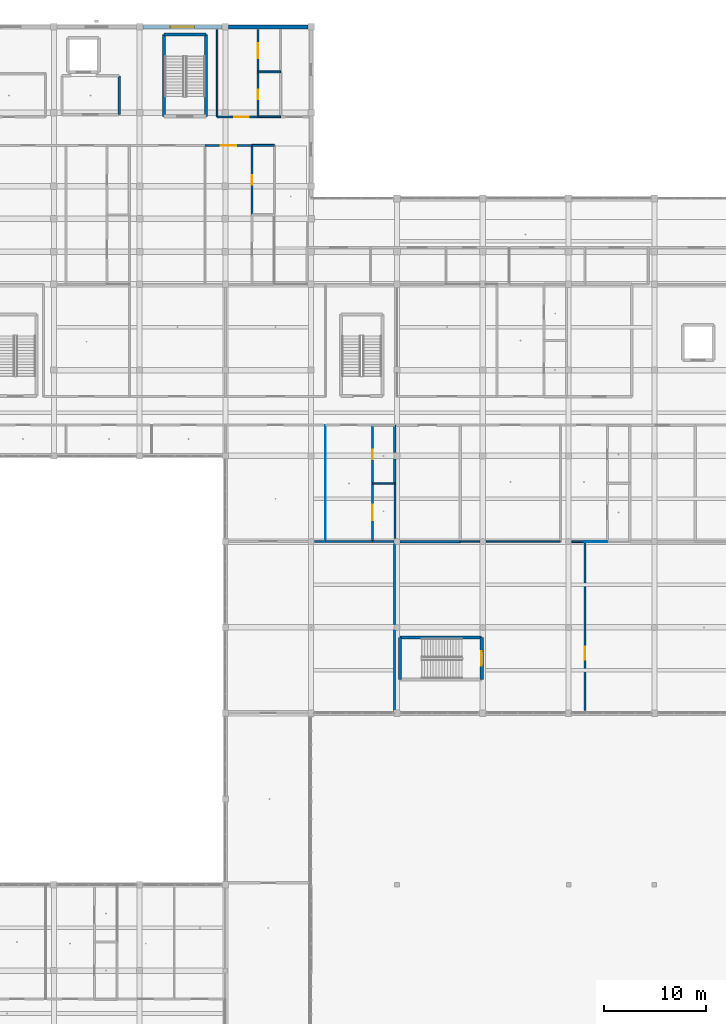
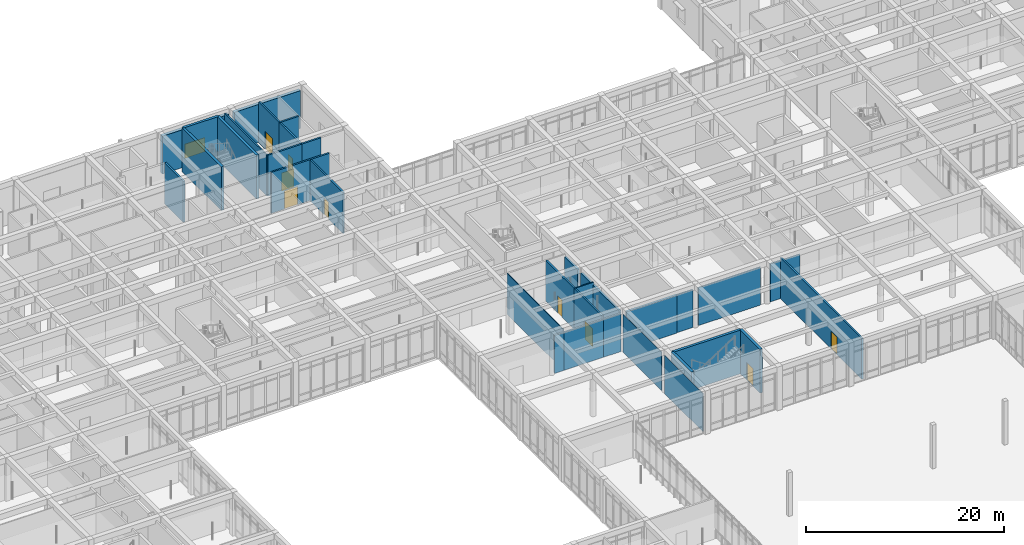
# One storey, part 84 of 157: 36 walls, 9 doors, 1 window, 10 openings.
"""IFC4 building model written with IfcOpenShell, lengths in metres."""

import ifcopenshell
import ifcopenshell.guid

model = None  # the IFC model being written
_history = None  # IfcOwnerHistory: only IFC2X3 demands one
_inside = {}  # id of a spatial element -> (the spatial element, [elements in it])
_under = {}  # id of a project, library or spatial element -> (it, [spatial elements below it])
_declared = {}  # id of a project -> (the project, [libraries it declares])
_typed = {}  # id of a type object -> (the type object, [elements of that type])
_made_of = {}  # id of a material, layer set ... -> (it, [elements and type objects made of it])


def new_model(schema):
    """Start an empty IFC model of exactly this schema.

    Asked for "IFC4X3", IfcOpenShell would pick the latest addendum, in which some entities
    have other attributes; the version numbers below select the first issue.
    IFC2X3 requires an IfcOwnerHistory on every rooted entity: one is made here for all.
    """
    global model, _history
    if schema == "IFC4X3":
        model = ifcopenshell.file(schema_version=(4, 3, 0, 0))
    else:
        model = ifcopenshell.file(schema=schema)
    _inside.clear()
    _under.clear()
    _declared.clear()
    _typed.clear()
    _made_of.clear()
    _history = None
    if model.schema == "IFC2X3":
        org = make("IfcOrganization", Name="unknown")
        user = make(
            "IfcPersonAndOrganization",
            ThePerson=make("IfcPerson", FamilyName="unknown"),
            TheOrganization=org,
        )
        app = make(
            "IfcApplication",
            ApplicationDeveloper=org,
            Version="unknown",
            ApplicationFullName="unknown",
            ApplicationIdentifier="unknown",
        )
        _history = make(
            "IfcOwnerHistory",
            OwningUser=user,
            OwningApplication=app,
            ChangeAction="ADDED",
            CreationDate=0,
        )
    return model


def make(cls, **values):
    """One entity of the class cls with the attributes given. An attribute that is None is left unset."""
    return model.create_entity(
        cls, **{name: value for name, value in values.items() if value is not None}
    )


def rooted(cls, **values):
    """An entity with a GlobalId (a new one), such as an element, a storey or a relation."""
    return make(cls, GlobalId=ifcopenshell.guid.new(), OwnerHistory=_history, **values)


def si_unit(unit_type, name, prefix=None):
    """IfcSIUnit, for example si_unit("LENGTHUNIT", "METRE", prefix="MILLI")."""
    return make("IfcSIUnit", UnitType=unit_type, Prefix=prefix, Name=name)


def assignment(units):
    """IfcUnitAssignment: the units of a project."""
    return None if units is None else make("IfcUnitAssignment", Units=units)


def point(xyz):
    """IfcCartesianPoint."""
    return None if xyz is None else make("IfcCartesianPoint", Coordinates=xyz)


def direction(xyz):
    """IfcDirection."""
    return None if xyz is None else make("IfcDirection", DirectionRatios=xyz)


def frame(location, z_axis=None, x_axis=None):
    """IfcAxis2Placement3D, a coordinate frame: its origin and axes. An axis left out is left unset."""
    return make(
        "IfcAxis2Placement3D",
        Location=point(location),
        Axis=direction(z_axis),
        RefDirection=direction(x_axis),
    )


def frame_2d(location, x_axis=None):
    """IfcAxis2Placement2D, a coordinate frame in the plane: its origin and x axis."""
    return make(
        "IfcAxis2Placement2D", Location=point(location), RefDirection=direction(x_axis)
    )


def origin():
    """The frame at (0, 0, 0) with its axes left unset."""
    return frame((0.0, 0.0, 0.0))


def place(relative_to, where):
    """IfcLocalPlacement: puts the frame where relative to a parent placement (None: the world)."""
    return make(
        "IfcLocalPlacement", PlacementRelTo=relative_to, RelativePlacement=where
    )


def context(
    kind, dimensions, precision=None, world=None, true_north=None, identifier=None
):
    """IfcGeometricRepresentationContext, for example the 3D "Model" context."""
    return make(
        "IfcGeometricRepresentationContext",
        ContextIdentifier=identifier,
        ContextType=kind,
        CoordinateSpaceDimension=dimensions,
        Precision=precision,
        WorldCoordinateSystem=world,
        TrueNorth=true_north,
    )


def subcontext(parent, identifier, kind, view, scale=None):
    """IfcGeometricRepresentationSubContext, for example "Body" below "Model"."""
    return make(
        "IfcGeometricRepresentationSubContext",
        ContextIdentifier=identifier,
        ContextType=kind,
        ParentContext=parent,
        TargetScale=scale,
        TargetView=view,
    )


def project(units=None, contexts=None):
    """IfcProject with its units and contexts."""
    return rooted(
        "IfcProject",
        Name="project",
        RepresentationContexts=contexts,
        UnitsInContext=assignment(units),
    )


def spatial(cls, under=None, at=None, **own):
    """A site, building, storey or space (cls), placed at a placement, below another one or the project."""
    s = rooted(cls, ObjectPlacement=at, **own)
    if under is not None:
        _under.setdefault(under.id(), (under, []))[1].append(s)
    return s


def profile(cls, at=None, kind="AREA", **sizes):
    """A parametric profile (cls). Its sizes go by their IFC names, for example OverallWidth=200.0."""
    return make(cls, ProfileType=kind, Position=at, **sizes)


def rectangle(**sizes):
    """IfcRectangleProfileDef."""
    return profile("IfcRectangleProfileDef", **sizes)


def extrude(swept, where, along, depth):
    """IfcExtrudedAreaSolid: the profile swept, set in the frame where, extruded along a direction by depth."""
    return make(
        "IfcExtrudedAreaSolid",
        SweptArea=swept,
        Position=where,
        ExtrudedDirection=direction(along),
        Depth=depth,
    )


def shape(context_of_items, identifier, shape_type, items):
    """IfcShapeRepresentation: the items that make up one representation, for example the "Body"."""
    return make(
        "IfcShapeRepresentation",
        ContextOfItems=context_of_items,
        RepresentationIdentifier=identifier,
        RepresentationType=shape_type,
        Items=items,
    )


def material(Name=None, Category=None):
    """IfcMaterial."""
    return make("IfcMaterial", Name=Name, Category=Category)


def layer(
    of_material, thickness, ventilated=None, Name=None, Category=None, Priority=None
):
    """IfcMaterialLayer: one layer of a wall or slab, of a material (None: an air gap)."""
    return make(
        "IfcMaterialLayer",
        Material=of_material,
        LayerThickness=thickness,
        IsVentilated=ventilated,
        Name=Name,
        Category=Category,
        Priority=Priority,
    )


def layer_set(layers, Name=None):
    """IfcMaterialLayerSet."""
    return make("IfcMaterialLayerSet", MaterialLayers=layers, LayerSetName=Name)


def made_of(thing, what):
    """Note that an element or type object is made of a material, layer set ...; save() writes the relation."""
    if what is not None:
        _made_of.setdefault(what.id(), (what, []))[1].append(thing)
    return thing


def type_object(cls, material=None, **own):
    """A type object (cls), such as IfcWallType, which elements share."""
    return made_of(rooted(cls, **own), material)


def element(
    cls,
    number,
    at=None,
    inside=None,
    cuts=None,
    type_object=None,
    material=None,
    context=None,
    identifier="Body",
    shape_type=None,
    held_by="IfcProductDefinitionShape",
    body=None,
    shapes=None,
    **own,
):
    """One element of the class cls, such as IfcWall. Its Tag is "e" and its number.

    at: its placement. inside: the storey or other place that contains it. cuts: it is an
    opening in that element (IfcRelVoidsElement). A single representation is given by context,
    identifier, shape_type and body (its items); several are given by shapes. held_by: the class
    of the entity that holds the representations. save() writes the other relations.
    """
    e = rooted(cls, Tag="e%d" % number, ObjectPlacement=at, **own)
    if body is not None:
        shapes = [shape(context, identifier, shape_type, body)]
    if shapes is not None:
        e.Representation = make(held_by, Representations=shapes)
    if inside is not None:
        _inside.setdefault(inside.id(), (inside, []))[1].append(e)
    if cuts is not None:
        rooted(
            "IfcRelVoidsElement", RelatingBuildingElement=cuts, RelatedOpeningElement=e
        )
    if type_object is not None:
        _typed.setdefault(type_object.id(), (type_object, []))[1].append(e)
    return made_of(e, material)


def fill(opening, filler):
    """IfcRelFillsElement: the door or window that sits in an opening."""
    return rooted(
        "IfcRelFillsElement",
        RelatingOpeningElement=opening,
        RelatedBuildingElement=filler,
    )


def aggregate(whole, parts):
    """IfcRelAggregates: a whole, such as a stair, and the parts it consists of."""
    return rooted("IfcRelAggregates", RelatingObject=whole, RelatedObjects=parts)


def save(model, path):
    """Write the relations noted so far, then the file.

    IfcRelAggregates (storeys below a building ...), IfcRelContainedInSpatialStructure (elements
    in a storey), IfcRelDefinesByType, IfcRelAssociatesMaterial and IfcRelDeclares: one each for
    every whole, place, type object, material and project.
    """
    for whole, parts in _under.values():
        aggregate(whole, parts)
    for where, things in _inside.values():
        rooted(
            "IfcRelContainedInSpatialStructure",
            RelatedElements=things,
            RelatingStructure=where,
        )
    for kind, things in _typed.values():
        rooted("IfcRelDefinesByType", RelatedObjects=things, RelatingType=kind)
    for what, things in _made_of.values():
        rooted("IfcRelAssociatesMaterial", RelatedObjects=things, RelatingMaterial=what)
    for by, libraries in _declared.values():
        rooted("IfcRelDeclares", RelatingContext=by, RelatedDefinitions=libraries)
    model.write(path)


model = new_model("IFC4")

# Units and contexts
model_context = context("Model", 3, precision=1e-05, world=origin(), true_north=direction((0.0, 1.0)))
body_context = subcontext(model_context, "Body", "Model", "MODEL_VIEW")
ifc_project = project(units=[si_unit("LENGTHUNIT", "METRE"), si_unit("AREAUNIT", "SQUARE_METRE"), si_unit("VOLUMEUNIT", "CUBIC_METRE"), si_unit("PLANEANGLEUNIT", "RADIAN"), si_unit("MASSUNIT", "GRAM", prefix="KILO")], contexts=[model_context])

# Site, building, storey
site_placement = place(None, origin())
site = spatial("IfcSite", under=ifc_project, at=site_placement, CompositionType="ELEMENT")
building_placement = place(site_placement, origin())
building = spatial("IfcBuilding", under=site, at=building_placement, Name="Varncliffe General Hospital", CompositionType="ELEMENT")
storey_placement = place(building_placement, frame((0.0, 0.0, 5.39990234375)))
storey = spatial("IfcBuildingStorey", under=building, at=storey_placement, Name="L01", CompositionType="ELEMENT", Elevation=5.39990234375)

# Wall
ifc_material_1 = material(Name="Precast concrete C40/50 with insulated cream lime-cement stucco", Category="concrete")
ifc_layer_1 = layer(ifc_material_1, 0.3798828125)
ifc_layer_set_1 = layer_set([ifc_layer_1], Name="Precast concrete C40/50 with insulated cream lime-cement stucco")
wall_type_1 = type_object("IfcWallType", Name="Exterior Insulated Stucco Wall EW26 (380mm)", PredefinedType="SOLIDWALL", material=ifc_layer_set_1)
wall_1_placement = place(storey_placement, frame((59.123046875, 124.800048828125, 0.0), z_axis=(0.0, 0.0, 1.0), x_axis=(1.0, 0.0, 0.0)))
element("IfcWall", 1, at=wall_1_placement, inside=storey, type_object=wall_type_1, Name="L01 Exterior Stucco Wall EW26-121", PredefinedType="SOLIDWALL", context=body_context, shape_type="SweptSolid", body=[
    extrude(rectangle(XDim=7.75390625, YDim=0.3798828125, at=frame_2d((3.876953125, 0.0))), origin(), (0.0, 0.0, 1.0), 4.68017578125),
])

# Wall, opening, window
ifc_layer_2 = layer(ifc_material_1, 0.39990234375)
ifc_layer_set_2 = layer_set([ifc_layer_2], Name="Precast concrete C40/50 with insulated cream lime-cement stucco")
wall_type_2 = type_object("IfcWallType", Name="Exterior Insulated Stucco Wall EW47 (400mm)", PredefinedType="SOLIDWALL", material=ifc_layer_set_2)
wall_2_placement = place(storey_placement, frame((50.722900390625, 124.800048828125, 0.0), z_axis=(0.0, 0.0, 1.0), x_axis=(1.0, 0.0, 0.0)))
wall_2 = element("IfcWall", 2, at=wall_2_placement, inside=storey, type_object=wall_type_2, Name="L01 Exterior Stucco Wall EW47-120", PredefinedType="SOLIDWALL", context=body_context, shape_type="SweptSolid", body=[
    extrude(rectangle(XDim=7.754150390625, YDim=0.39990234375, at=frame_2d((3.876953125, 0.0))), origin(), (0.0, 0.0, 1.0), 4.68017578125),
])
opening_1_placement = place(wall_2_placement, frame((2.701904296875, 0.0, 0.89990234375)))
opening_1 = element("IfcOpeningElement", 3, at=opening_1_placement, cuts=wall_2, Name="Opening WN31", PredefinedType="OPENING", context=body_context, shape_type="SweptSolid", body=[
    extrude(rectangle(XDim=2.35009765625, YDim=1.75, at=frame_2d((1.175048828125, 0.875))), frame((0.0, 0.2099609375, 0.0), z_axis=(0.0, -1.0, 0.0), x_axis=(1.0, 0.0, 0.0)), (0.0, 0.0, 1.0), 0.419921875),
])
ifc_material_2 = material(Name="Triple low-E argon insulated vision glazing", Category="glass")
window_type = type_object("IfcWindowType", Name="Triple-Glazed Hospital Window WN31 (2350x1750)", PartitioningType="DOUBLE_PANEL_VERTICAL", PredefinedType="WINDOW", material=ifc_material_2)
window_placement = place(opening_1_placement, origin())
window = element("IfcWindow", 4, at=window_placement, inside=storey, type_object=window_type, Name="L01 Hospital Window WN31-67", OverallHeight=1.75, OverallWidth=2.35009765625, PartitioningType="DOUBLE_PANEL_VERTICAL", PredefinedType="WINDOW", context=body_context, shape_type="SweptSolid", body=[
    extrude(rectangle(XDim=2.35009765625, YDim=1.75, at=frame_2d((1.175048828125, 0.875))), frame((0.0, 0.030029296875, 0.0), z_axis=(0.0, -1.0, 0.0), x_axis=(1.0, 0.0, 0.0)), (0.0, 0.0, 1.0), 0.06005859375),
])
fill(opening_1, window)

# Walls
ifc_material_3 = material(Name="Acoustic clinical gypsum stud partition assembly", Category="gypsum")
ifc_layer_3 = layer(ifc_material_3, 0.1298828125)
ifc_layer_set_3 = layer_set([ifc_layer_3], Name="Acoustic clinical gypsum stud partition assembly")
wall_type_3 = type_object("IfcWallType", Name="Interior Partitioning IW11 (130mm)", PredefinedType="PARTITIONING", material=ifc_layer_set_3)
wall_3_placement = place(storey_placement, frame((84.31494140625, 74.39990234375, 0.0), z_axis=(0.0, 0.0, 1.0), x_axis=(1.0, 0.0, 0.0)))
element("IfcWall", 5, at=wall_3_placement, inside=storey, type_object=wall_type_3, Name="L01 Interior Partition Wall IW11-488", PredefinedType="PARTITIONING", context=body_context, shape_type="SweptSolid", body=[
    extrude(rectangle(XDim=7.28515625, YDim=0.1298828125, at=frame_2d((3.642578125, 0.0))), origin(), (0.0, 0.0, 1.0), 4.68505859375),
])
wall_4_placement = place(storey_placement, frame((81.800048828125, 74.39990234375, 0.0), z_axis=(0.0, 0.0, 1.0), x_axis=(1.0, 0.0, 0.0)))
element("IfcWall", 6, at=wall_4_placement, inside=storey, type_object=wall_type_3, Name="L01 Interior Partition Wall IW11-489", PredefinedType="PARTITIONING", context=body_context, shape_type="SweptSolid", body=[
    extrude(rectangle(XDim=1.885009765625, YDim=0.1298828125, at=frame_2d((0.9423828125, 0.0))), origin(), (0.0, 0.0, 1.0), 4.68505859375),
])
ifc_layer_4 = layer(ifc_material_3, 0.169921875)
ifc_layer_set_4 = layer_set([ifc_layer_4], Name="Acoustic clinical gypsum stud partition assembly")
wall_type_4 = type_object("IfcWallType", Name="Interior Partitioning IW20 (170mm)", PredefinedType="PARTITIONING", material=ifc_layer_set_4)
wall_5_placement = place(storey_placement, frame((92.715087890625, 74.39990234375, 0.0), z_axis=(0.0, 0.0, 1.0), x_axis=(1.0, 0.0, 0.0)))
element("IfcWall", 7, at=wall_5_placement, inside=storey, type_object=wall_type_4, Name="L01 Interior Partition Wall IW20-490", PredefinedType="PARTITIONING", context=body_context, shape_type="SweptSolid", body=[
    extrude(rectangle(XDim=1.284912109375, YDim=0.169921875, at=frame_2d((0.642578125, 0.0))), origin(), (0.0, 0.0, 1.0), 4.68505859375),
])
ifc_layer_5 = layer(ifc_material_3, 0.14990234375)
ifc_layer_set_5 = layer_set([ifc_layer_5], Name="Acoustic clinical gypsum stud partition assembly")
wall_type_5 = type_object("IfcWallType", Name="Interior Partitioning IW35 (150mm)", PredefinedType="PARTITIONING", material=ifc_layer_set_5)
wall_6_placement = place(storey_placement, frame((58.0, 116.0, 0.0), z_axis=(0.0, 0.0, 1.0), x_axis=(0.0, 1.0, 0.0)))
element("IfcWall", 8, at=wall_6_placement, inside=storey, type_object=wall_type_5, Name="L01 Interior Partition Wall IW35-744", PredefinedType="PARTITIONING", context=body_context, shape_type="SweptSolid", body=[
    extrude(rectangle(XDim=8.5400390625, YDim=0.14990234375, at=frame_2d((4.27001953125, 0.0))), origin(), (0.0, 0.0, 1.0), 5.050048828125),
])
ifc_layer_6 = layer(ifc_material_3, 0.090087890625)
ifc_layer_set_6 = layer_set([ifc_layer_6], Name="Acoustic clinical gypsum stud partition assembly")
wall_type_6 = type_object("IfcWallType", Name="Interior Partitioning IW42 (90mm)", PredefinedType="PARTITIONING", material=ifc_layer_set_6)
wall_7_placement = place(storey_placement, frame((94.0, 74.39990234375, 0.0), z_axis=(0.0, 0.0, 1.0), x_axis=(1.0, 0.0, 0.0)))
element("IfcWall", 9, at=wall_7_placement, inside=storey, type_object=wall_type_6, Name="L01 Interior Partition Wall IW42-491", PredefinedType="PARTITIONING", context=body_context, shape_type="SweptSolid", body=[
    extrude(rectangle(XDim=2.199951171875, YDim=0.090087890625, at=frame_2d((1.10009765625, 0.0))), origin(), (0.0, 0.0, 1.0), 4.68505859375),
])
wall_8_placement = place(storey_placement, frame((68.60009765625, 74.39990234375, 0.0), z_axis=(0.0, 0.0, 1.0), x_axis=(0.0, 1.0, 0.0)))
element("IfcWall", 10, at=wall_8_placement, inside=storey, type_object=wall_type_6, Name="L01 Interior Partition Wall IW42-761", PredefinedType="PARTITIONING", context=body_context, shape_type="SweptSolid", body=[
    extrude(rectangle(XDim=11.400146484375, YDim=0.090087890625, at=frame_2d((5.7001953125, 0.0))), origin(), (0.0, 0.0, 1.0), 5.050048828125),
])
for number, where, z_axis, x_axis, name in (
    (11, (75.39990234375, 57.9150390625, 0.0), (0.0, 0.0, 1.0), (0.0, 1.0, 0.0), "L01 Interior Partition Wall IW42-766"),
    (12, (75.39990234375, 66.31494140625, 0.0), (0.0, 0.0, 1.0), (0.0, 1.0, 0.0), "L01 Interior Partition Wall IW42-767"),
):
    element("IfcWall", number, at=place(storey_placement, frame(where, z_axis=z_axis, x_axis=x_axis)), inside=storey, type_object=wall_type_6, Name=name, PredefinedType="PARTITIONING", context=body_context, shape_type="SweptSolid", body=[
        extrude(rectangle(XDim=7.77001953125, YDim=0.090087890625, at=frame_2d((3.885009765625, 0.0))), origin(), (0.0, 0.0, 1.0), 4.735107421875),
    ])
ifc_material_4 = material(Name="Fire-rated gypsum and mineral-wool partition assembly", Category="gypsum")
ifc_layer_7 = layer(ifc_material_4, 0.25)
ifc_layer_set_7 = layer_set([ifc_layer_7], Name="Fire-rated gypsum and mineral-wool partition assembly")
wall_type_7 = type_object("IfcWallType", Name="Interior Partitioning PW38 (250mm)", PredefinedType="PARTITIONING", material=ifc_layer_set_7)
wall_9_placement = place(storey_placement, frame((75.9150390625, 74.39990234375, 0.0), z_axis=(0.0, 0.0, 1.0), x_axis=(1.0, 0.0, 0.0)))
element("IfcWall", 13, at=wall_9_placement, inside=storey, type_object=wall_type_7, Name="L01 Interior Partition Wall PW38-487", PredefinedType="PARTITIONING", context=body_context, shape_type="SweptSolid", body=[
    extrude(rectangle(XDim=5.885009765625, YDim=0.25, at=frame_2d((2.9423828125, 0.0))), origin(), (0.0, 0.0, 1.0), 4.68505859375),
])
wall_10_placement = place(storey_placement, frame((48.39990234375, 116.199951171875, 0.0), z_axis=(0.0, 0.0, 1.0), x_axis=(0.0, 1.0, 0.0)))
element("IfcWall", 14, at=wall_10_placement, inside=storey, type_object=wall_type_7, Name="L01 Interior Partition Wall PW38-737", PredefinedType="PARTITIONING", context=body_context, shape_type="SweptSolid", body=[
    extrude(rectangle(XDim=3.800048828125, YDim=0.25, at=frame_2d((1.89990234375, 0.0))), origin(), (0.0, 0.0, 1.0), 5.050048828125),
])
wall_11_placement = place(storey_placement, frame((75.39990234375, 83.114990234375, 0.0), z_axis=(0.0, 0.0, 1.0), x_axis=(0.0, 1.0, 0.0)))
element("IfcWall", 15, at=wall_11_placement, inside=storey, type_object=wall_type_7, Name="L01 Interior Partition Wall PW38-769", PredefinedType="PARTITIONING", context=body_context, shape_type="SweptSolid", body=[
    extrude(rectangle(XDim=2.68505859375, YDim=0.25, at=frame_2d((1.342529296875, 0.0))), origin(), (0.0, 0.0, 1.0), 4.735107421875),
])
wall_12_placement = place(storey_placement, frame((75.39990234375, 80.10009765625, 0.0), z_axis=(0.0, 0.0, 1.0), x_axis=(0.0, 1.0, 0.0)))
element("IfcWall", 16, at=wall_12_placement, inside=storey, type_object=wall_type_7, Name="L01 Interior Partition Wall PW38-770", PredefinedType="PARTITIONING", context=body_context, shape_type="SweptSolid", body=[
    extrude(rectangle(XDim=2.385009765625, YDim=0.25, at=frame_2d((1.1923828125, 0.0))), origin(), (0.0, 0.0, 1.0), 4.735107421875),
])
ifc_layer_8 = layer(ifc_material_4, 0.22998046875)
ifc_layer_set_8 = layer_set([ifc_layer_8], Name="Fire-rated gypsum and mineral-wool partition assembly")
wall_type_8 = type_object("IfcWallType", Name="Interior Partitioning PW48 (230mm)", PredefinedType="PARTITIONING", material=ifc_layer_set_8)
wall_13_placement = place(storey_placement, frame((75.39990234375, 74.715087890625, 0.0), z_axis=(0.0, 0.0, 1.0), x_axis=(0.0, 1.0, 0.0)))
element("IfcWall", 17, at=wall_13_placement, inside=storey, type_object=wall_type_8, Name="L01 Interior Partition Wall PW48-768", PredefinedType="PARTITIONING", context=body_context, shape_type="SweptSolid", body=[
    extrude(rectangle(XDim=5.385009765625, YDim=0.22998046875, at=frame_2d((2.6923828125, 0.0))), origin(), (0.0, 0.0, 1.0), 4.735107421875),
])
ifc_layer_9 = layer(ifc_material_4, 0.199951171875)
ifc_layer_set_9 = layer_set([ifc_layer_9], Name="Fire-rated gypsum and mineral-wool partition assembly")
wall_type_9 = type_object("IfcWallType", Name="Interior Partitioning PW63 (200mm)", PredefinedType="PARTITIONING", material=ifc_layer_set_9)
wall_14_placement = place(storey_placement, frame((67.514892578125, 74.39990234375, 0.0), z_axis=(0.0, 0.0, 1.0), x_axis=(1.0, 0.0, 0.0)))
element("IfcWall", 18, at=wall_14_placement, inside=storey, type_object=wall_type_9, Name="L01 Interior Partition Wall PW63-484", PredefinedType="PARTITIONING", context=body_context, shape_type="SweptSolid", body=[
    extrude(rectangle(XDim=1.085205078125, YDim=0.199951171875, at=frame_2d((0.54248046875, 0.0))), origin(), (0.0, 0.0, 1.0), 4.68505859375),
])
wall_15_placement = place(storey_placement, frame((68.60009765625, 74.39990234375, 0.0), z_axis=(0.0, 0.0, 1.0), x_axis=(1.0, 0.0, 0.0)))
element("IfcWall", 19, at=wall_15_placement, inside=storey, type_object=wall_type_9, Name="L01 Interior Partition Wall PW63-485", PredefinedType="PARTITIONING", context=body_context, shape_type="SweptSolid", body=[
    extrude(rectangle(XDim=4.599853515625, YDim=0.199951171875, at=frame_2d((2.2998046875, 0.0))), origin(), (0.0, 0.0, 1.0), 4.68505859375),
])
wall_16_placement = place(storey_placement, frame((73.199951171875, 74.39990234375, 0.0), z_axis=(0.0, 0.0, 1.0), x_axis=(1.0, 0.0, 0.0)))
element("IfcWall", 20, at=wall_16_placement, inside=storey, type_object=wall_type_9, Name="L01 Interior Partition Wall PW63-486", PredefinedType="PARTITIONING", context=body_context, shape_type="SweptSolid", body=[
    extrude(rectangle(XDim=2.0849609375, YDim=0.199951171875, at=frame_2d((1.04248046875, 0.0))), origin(), (0.0, 0.0, 1.0), 4.68505859375),
])

# Wall, opening, door
wall_17_placement = place(storey_placement, frame((56.800048828125, 113.199951171875, 0.0), z_axis=(0.0, 0.0, 1.0), x_axis=(1.0, 0.0, 0.0)))
wall_17 = element("IfcWall", 21, at=wall_17_placement, inside=storey, type_object=wall_type_9, Name="L01 Interior Partition Wall PW63-625", PredefinedType="PARTITIONING", context=body_context, shape_type="SweptSolid", body=[
    extrude(rectangle(XDim=4.599853515625, YDim=0.199951171875, at=frame_2d((2.2998046875, 0.0))), origin(), (0.0, 0.0, 1.0), 5.050048828125),
])
opening_2_placement = place(wall_17_placement, frame((1.52490234375, 0.0, 0.0)))
opening_2 = element("IfcOpeningElement", 22, at=opening_2_placement, cuts=wall_17, Name="Opening DC67", PredefinedType="OPENING", context=body_context, shape_type="SweptSolid", body=[
    extrude(rectangle(XDim=1.550048828125, YDim=2.25, at=frame_2d((0.77490234375, 1.125))), frame((0.0, 0.10986328125, 0.0), z_axis=(0.0, -1.0, 0.0), x_axis=(1.0, 0.0, 0.0)), (0.0, 0.0, 1.0), 0.219970703125),
])
ifc_material_5 = material(Name="Fire-rated hospital steel-frame vision-panel door", Category="steel")
door_type_1 = type_object("IfcDoorType", Name="Interior Hospital Door DC67 (1550x2250)", OperationType="NOTDEFINED", PredefinedType="DOOR", material=ifc_material_5)
door_1_placement = place(opening_2_placement, frame((1.550048828125, 0.0, 0.0), z_axis=(0.0, 0.0, 1.0), x_axis=(-1.0, 0.0, 0.0)))
door_1 = element("IfcDoor", 23, at=door_1_placement, inside=storey, type_object=door_type_1, Name="L01 General Medical Inpatient Room 146 Door", OperationType="SINGLE_SWING_LEFT", OverallHeight=2.25, OverallWidth=1.550048828125, PredefinedType="DOOR", context=body_context, shape_type="SweptSolid", body=[
    extrude(rectangle(XDim=1.550048828125, YDim=2.25, at=frame_2d((0.77490234375, 1.125))), frame((0.0, 0.02490234375, 0.0), z_axis=(0.0, -1.0, 0.0), x_axis=(1.0, 0.0, 0.0)), (0.0, 0.0, 1.0), 0.050048828125),
])
fill(opening_2, door_1)

wall_18_placement = place(storey_placement, frame((58.0, 116.0, 0.0), z_axis=(0.0, 0.0, 1.0), x_axis=(1.0, 0.0, 0.0)))
wall_18 = element("IfcWall", 24, at=wall_18_placement, inside=storey, type_object=wall_type_9, Name="L01 Interior Partition Wall PW63-645", PredefinedType="PARTITIONING", context=body_context, shape_type="SweptSolid", body=[
    extrude(rectangle(XDim=4.0, YDim=0.199951171875, at=frame_2d((2.0, 0.0))), origin(), (0.0, 0.0, 1.0), 5.050048828125),
])
opening_3_placement = place(wall_18_placement, frame((1.647705078125, 0.0, 0.0)))
opening_3 = element("IfcOpeningElement", 25, at=opening_3_placement, cuts=wall_18, Name="Opening DC66", PredefinedType="OPENING", context=body_context, shape_type="SweptSolid", body=[
    extrude(rectangle(XDim=1.449951171875, YDim=2.25, at=frame_2d((0.72509765625, 1.125))), frame((0.0, 0.10986328125, 0.0), z_axis=(0.0, -1.0, 0.0), x_axis=(1.0, 0.0, 0.0)), (0.0, 0.0, 1.0), 0.219970703125),
])
door_type_2 = type_object("IfcDoorType", Name="Interior Hospital Door DC66 (1450x2250)", OperationType="NOTDEFINED", PredefinedType="DOOR", material=ifc_material_5)
door_2_placement = place(opening_3_placement, origin())
door_2 = element("IfcDoor", 26, at=door_2_placement, inside=storey, type_object=door_type_2, Name="L01 General Medical Inpatient Room 171 Door", OperationType="SINGLE_SWING_RIGHT", OverallHeight=2.25, OverallWidth=1.449951171875, PredefinedType="DOOR", context=body_context, shape_type="SweptSolid", body=[
    extrude(rectangle(XDim=1.449951171875, YDim=2.25, at=frame_2d((0.72509765625, 1.125))), frame((0.0, 0.02490234375, 0.0), z_axis=(0.0, -1.0, 0.0), x_axis=(1.0, 0.0, 0.0)), (0.0, 0.0, 1.0), 0.050048828125),
])
fill(opening_3, door_2)

wall_19_placement = place(storey_placement, frame((61.39990234375, 106.39990234375, 0.0), z_axis=(0.0, 0.0, 1.0), x_axis=(0.0, 1.0, 0.0)))
wall_19 = element("IfcWall", 27, at=wall_19_placement, inside=storey, type_object=wall_type_9, Name="L01 Interior Partition Wall PW63-753", PredefinedType="PARTITIONING", context=body_context, shape_type="SweptSolid", body=[
    extrude(rectangle(XDim=6.800048828125, YDim=0.199951171875, at=frame_2d((3.39990234375, 0.0))), origin(), (0.0, 0.0, 1.0), 5.050048828125),
])
opening_4_placement = place(wall_19_placement, frame((2.93994140625, 0.0, 0.0)))
opening_4 = element("IfcOpeningElement", 28, at=opening_4_placement, cuts=wall_19, Name="Opening DI70", PredefinedType="OPENING", context=body_context, shape_type="SweptSolid", body=[
    extrude(rectangle(XDim=0.919921875, YDim=2.10009765625, at=frame_2d((0.4599609375, 1.050048828125))), frame((0.0, 0.10986328125, 0.0), z_axis=(0.0, -1.0, 0.0), x_axis=(1.0, 0.0, 0.0)), (0.0, 0.0, 1.0), 0.219970703125),
])
ifc_material_6 = material(Name="Solid-core antimicrobial hospital oak veneer door", Category="wood")
door_type_3 = type_object("IfcDoorType", Name="Interior Hospital Door DI70 (920x2100)", OperationType="NOTDEFINED", PredefinedType="DOOR", material=ifc_material_6)
door_3_placement = place(opening_4_placement, frame((0.919921875, 0.0, 0.0), z_axis=(0.0, 0.0, 1.0), x_axis=(-1.0, 0.0, 0.0)))
door_3 = element("IfcDoor", 29, at=door_3_placement, inside=storey, type_object=door_type_3, Name="L01 En-Suite Bathroom 147 Door", OperationType="SINGLE_SWING_RIGHT", OverallHeight=2.10009765625, OverallWidth=0.919921875, PredefinedType="DOOR", context=body_context, shape_type="SweptSolid", body=[
    extrude(rectangle(XDim=0.919921875, YDim=2.10009765625, at=frame_2d((0.4599609375, 1.050048828125))), frame((0.0, 0.02490234375, 0.0), z_axis=(0.0, -1.0, 0.0), x_axis=(1.0, 0.0, 0.0)), (0.0, 0.0, 1.0), 0.050048828125),
])
fill(opening_4, door_3)

wall_20_placement = place(storey_placement, frame((62.0, 116.0, 0.0), z_axis=(0.0, 0.0, 1.0), x_axis=(0.0, 1.0, 0.0)))
wall_20 = element("IfcWall", 30, at=wall_20_placement, inside=storey, type_object=wall_type_9, Name="L01 Interior Partition Wall PW63-754", PredefinedType="PARTITIONING", context=body_context, shape_type="SweptSolid", body=[
    extrude(rectangle(XDim=4.39990234375, YDim=0.199951171875, at=frame_2d((2.199951171875, 0.0))), origin(), (0.0, 0.0, 1.0), 5.050048828125),
])
opening_5_placement = place(wall_20_placement, frame((1.739990234375, 0.0, 0.0)))
opening_5 = element("IfcOpeningElement", 31, at=opening_5_placement, cuts=wall_20, Name="Opening DI70", PredefinedType="OPENING", context=body_context, shape_type="SweptSolid", body=[
    extrude(rectangle(XDim=0.919921875, YDim=2.10009765625, at=frame_2d((0.4599609375, 1.050048828125))), frame((0.0, 0.10986328125, 0.0), z_axis=(0.0, -1.0, 0.0), x_axis=(1.0, 0.0, 0.0)), (0.0, 0.0, 1.0), 0.219970703125),
])
door_4_placement = place(opening_5_placement, frame((0.919921875, 0.0, 0.0), z_axis=(0.0, 0.0, 1.0), x_axis=(-1.0, 0.0, 0.0)))
door_4 = element("IfcDoor", 32, at=door_4_placement, inside=storey, type_object=door_type_3, Name="L01 En-Suite Bathroom 172 Door", OperationType="SINGLE_SWING_LEFT", OverallHeight=2.10009765625, OverallWidth=0.919921875, PredefinedType="DOOR", context=body_context, shape_type="SweptSolid", body=[
    extrude(rectangle(XDim=0.919921875, YDim=2.10009765625, at=frame_2d((0.4599609375, 1.050048828125))), frame((0.0, 0.02490234375, 0.0), z_axis=(0.0, -1.0, 0.0), x_axis=(1.0, 0.0, 0.0)), (0.0, 0.0, 1.0), 0.050048828125),
])
fill(opening_5, door_4)

wall_21_placement = place(storey_placement, frame((62.0, 120.39990234375, 0.0), z_axis=(0.0, 0.0, 1.0), x_axis=(0.0, 1.0, 0.0)))
wall_21 = element("IfcWall", 33, at=wall_21_placement, inside=storey, type_object=wall_type_9, Name="L01 Interior Partition Wall PW63-755", PredefinedType="PARTITIONING", context=body_context, shape_type="SweptSolid", body=[
    extrude(rectangle(XDim=4.14013671875, YDim=0.199951171875, at=frame_2d((2.070068359375, 0.0))), origin(), (0.0, 0.0, 1.0), 5.050048828125),
])
opening_6_placement = place(wall_21_placement, frame((1.344970703125, 0.0, 0.0)))
opening_6 = element("IfcOpeningElement", 34, at=opening_6_placement, cuts=wall_21, Name="Opening DC66", PredefinedType="OPENING", context=body_context, shape_type="SweptSolid", body=[
    extrude(rectangle(XDim=1.449951171875, YDim=2.25, at=frame_2d((0.72509765625, 1.125))), frame((0.0, 0.10986328125, 0.0), z_axis=(0.0, -1.0, 0.0), x_axis=(1.0, 0.0, 0.0)), (0.0, 0.0, 1.0), 0.219970703125),
])
door_5_placement = place(opening_6_placement, frame((1.449951171875, 0.0, 0.0), z_axis=(0.0, 0.0, 1.0), x_axis=(-1.0, 0.0, 0.0)))
door_5 = element("IfcDoor", 35, at=door_5_placement, inside=storey, type_object=door_type_2, Name="L01 Patient Medication and Hygiene Bay 173 Door", OperationType="SINGLE_SWING_RIGHT", OverallHeight=2.25, OverallWidth=1.449951171875, PredefinedType="DOOR", context=body_context, shape_type="SweptSolid", body=[
    extrude(rectangle(XDim=1.449951171875, YDim=2.25, at=frame_2d((0.72509765625, 1.125))), frame((0.0, 0.02490234375, 0.0), z_axis=(0.0, -1.0, 0.0), x_axis=(1.0, 0.0, 0.0)), (0.0, 0.0, 1.0), 0.050048828125),
])
fill(opening_6, door_5)

wall_22_placement = place(storey_placement, frame((73.199951171875, 74.39990234375, 0.0), z_axis=(0.0, 0.0, 1.0), x_axis=(0.0, 1.0, 0.0)))
wall_22 = element("IfcWall", 36, at=wall_22_placement, inside=storey, type_object=wall_type_9, Name="L01 Interior Partition Wall PW63-764", PredefinedType="PARTITIONING", context=body_context, shape_type="SweptSolid", body=[
    extrude(rectangle(XDim=5.7001953125, YDim=0.199951171875, at=frame_2d((2.85009765625, 0.0))), origin(), (0.0, 0.0, 1.0), 5.050048828125),
])
opening_7_placement = place(wall_22_placement, frame((2.074951171875, 0.0, 0.0)))
opening_7 = element("IfcOpeningElement", 37, at=opening_7_placement, cuts=wall_22, Name="Opening DC67", PredefinedType="OPENING", context=body_context, shape_type="SweptSolid", body=[
    extrude(rectangle(XDim=1.550048828125, YDim=2.25, at=frame_2d((0.77490234375, 1.125))), frame((0.0, 0.10986328125, 0.0), z_axis=(0.0, -1.0, 0.0), x_axis=(1.0, 0.0, 0.0)), (0.0, 0.0, 1.0), 0.219970703125),
])
door_6_placement = place(opening_7_placement, frame((1.550048828125, 0.0, 0.0), z_axis=(0.0, 0.0, 1.0), x_axis=(-1.0, 0.0, 0.0)))
door_6 = element("IfcDoor", 38, at=door_6_placement, inside=storey, type_object=door_type_1, Name="L01 Patient Medication and Hygiene Bay 80 Door", OperationType="SINGLE_SWING_LEFT", OverallHeight=2.25, OverallWidth=1.550048828125, PredefinedType="DOOR", context=body_context, shape_type="SweptSolid", body=[
    extrude(rectangle(XDim=1.550048828125, YDim=2.25, at=frame_2d((0.77490234375, 1.125))), frame((0.0, 0.02490234375, 0.0), z_axis=(0.0, -1.0, 0.0), x_axis=(1.0, 0.0, 0.0)), (0.0, 0.0, 1.0), 0.050048828125),
])
fill(opening_7, door_6)

wall_23_placement = place(storey_placement, frame((73.199951171875, 80.10009765625, 0.0), z_axis=(0.0, 0.0, 1.0), x_axis=(0.0, 1.0, 0.0)))
wall_23 = element("IfcWall", 39, at=wall_23_placement, inside=storey, type_object=wall_type_9, Name="L01 Interior Partition Wall PW63-765", PredefinedType="PARTITIONING", context=body_context, shape_type="SweptSolid", body=[
    extrude(rectangle(XDim=5.699951171875, YDim=0.199951171875, at=frame_2d((2.85009765625, 0.0))), origin(), (0.0, 0.0, 1.0), 5.050048828125),
])
opening_8_placement = place(wall_23_placement, frame((2.389892578125, 0.0, 0.0)))
opening_8 = element("IfcOpeningElement", 40, at=opening_8_placement, cuts=wall_23, Name="Opening DI70", PredefinedType="OPENING", context=body_context, shape_type="SweptSolid", body=[
    extrude(rectangle(XDim=0.919921875, YDim=2.10009765625, at=frame_2d((0.4599609375, 1.050048828125))), frame((0.0, 0.10986328125, 0.0), z_axis=(0.0, -1.0, 0.0), x_axis=(1.0, 0.0, 0.0)), (0.0, 0.0, 1.0), 0.219970703125),
])
door_7_placement = place(opening_8_placement, frame((0.919921875, 0.0, 0.0), z_axis=(0.0, 0.0, 1.0), x_axis=(-1.0, 0.0, 0.0)))
door_7 = element("IfcDoor", 41, at=door_7_placement, inside=storey, type_object=door_type_3, Name="L01 En-Suite Bathroom 79 Door", OperationType="SINGLE_SWING_RIGHT", OverallHeight=2.10009765625, OverallWidth=0.919921875, PredefinedType="DOOR", context=body_context, shape_type="SweptSolid", body=[
    extrude(rectangle(XDim=0.919921875, YDim=2.10009765625, at=frame_2d((0.4599609375, 1.050048828125))), frame((0.0, 0.02490234375, 0.0), z_axis=(0.0, -1.0, 0.0), x_axis=(1.0, 0.0, 0.0)), (0.0, 0.0, 1.0), 0.050048828125),
])
fill(opening_8, door_7)

wall_24_placement = place(storey_placement, frame((94.0, 57.860107421875, 0.0), z_axis=(0.0, 0.0, 1.0), x_axis=(0.0, 1.0, 0.0)))
wall_24 = element("IfcWall", 42, at=wall_24_placement, inside=storey, type_object=wall_type_9, Name="L01 Interior Partition Wall PW63-783", PredefinedType="PARTITIONING", context=body_context, shape_type="SweptSolid", body=[
    extrude(rectangle(XDim=16.539794921875, YDim=0.199951171875, at=frame_2d((8.27001953125, 0.0))), origin(), (0.0, 0.0, 1.0), 5.050048828125),
])
opening_9_placement = place(wall_24_placement, frame((4.963134765625, 0.0, 0.0)))
opening_9 = element("IfcOpeningElement", 43, at=opening_9_placement, cuts=wall_24, Name="Opening DC88", PredefinedType="OPENING", context=body_context, shape_type="SweptSolid", body=[
    extrude(rectangle(XDim=1.300048828125, YDim=2.199951171875, at=frame_2d((0.64990234375, 1.10009765625))), frame((0.0, 0.10986328125, 0.0), z_axis=(0.0, -1.0, 0.0), x_axis=(1.0, 0.0, 0.0)), (0.0, 0.0, 1.0), 0.219970703125),
])
door_type_4 = type_object("IfcDoorType", Name="Interior Hospital Door DC88 (1300x2200)", OperationType="NOTDEFINED", PredefinedType="DOOR", material=ifc_material_5)
door_8_placement = place(opening_9_placement, frame((1.300048828125, 0.0, 0.0), z_axis=(0.0, 0.0, 1.0), x_axis=(-1.0, 0.0, 0.0)))
door_8 = element("IfcDoor", 44, at=door_8_placement, inside=storey, type_object=door_type_4, Name="L01 Clinical Conferencing and Telemedicine Suite Door", OperationType="SINGLE_SWING_LEFT", OverallHeight=2.199951171875, OverallWidth=1.300048828125, PredefinedType="DOOR", context=body_context, shape_type="SweptSolid", body=[
    extrude(rectangle(XDim=1.300048828125, YDim=2.199951171875, at=frame_2d((0.64990234375, 1.10009765625))), frame((0.0, 0.02490234375, 0.0), z_axis=(0.0, -1.0, 0.0), x_axis=(1.0, 0.0, 0.0)), (0.0, 0.0, 1.0), 0.050048828125),
])
fill(opening_9, door_8)

# Walls
ifc_material_7 = material(Name="Moisture-resistant plumbing chase wall assembly", Category="gypsum")
ifc_layer_10 = layer(ifc_material_7, 0.18994140625)
ifc_layer_set_10 = layer_set([ifc_layer_10], Name="Moisture-resistant plumbing chase wall assembly")
wall_type_10 = type_object("IfcWallType", Name="Interior Plumbingwall MW17 (190mm)", PredefinedType="PLUMBINGWALL", material=ifc_layer_set_10)
wall_25_placement = place(storey_placement, frame((61.39990234375, 113.199951171875, 0.0), z_axis=(0.0, 0.0, 1.0), x_axis=(1.0, 0.0, 0.0)))
element("IfcWall", 45, at=wall_25_placement, inside=storey, type_object=wall_type_10, Name="L01 Interior Plumbing Wall MW17-626", PredefinedType="PLUMBINGWALL", context=body_context, shape_type="SweptSolid", body=[
    extrude(rectangle(XDim=2.2001953125, YDim=0.18994140625, at=frame_2d((1.10009765625, 0.0))), origin(), (0.0, 0.0, 1.0), 5.050048828125),
])
for number, where, z_axis, x_axis, name in (
    (46, (62.0, 116.0, 0.0), (0.0, 0.0, 1.0), (1.0, 0.0, 0.0), "L01 Interior Plumbing Wall MW17-646"),
    (47, (62.0, 120.39990234375, 0.0), (0.0, 0.0, 1.0), (1.0, 0.0, 0.0), "L01 Interior Plumbing Wall MW17-668"),
):
    element("IfcWall", number, at=place(storey_placement, frame(where, z_axis=z_axis, x_axis=x_axis)), inside=storey, type_object=wall_type_10, Name=name, PredefinedType="PLUMBINGWALL", context=body_context, shape_type="SweptSolid", body=[
        extrude(rectangle(XDim=2.199951171875, YDim=0.18994140625, at=frame_2d((1.10009765625, 0.0))), origin(), (0.0, 0.0, 1.0), 5.050048828125),
    ])
ifc_layer_11 = layer(ifc_material_7, 0.159912109375)
ifc_layer_set_11 = layer_set([ifc_layer_11], Name="Moisture-resistant plumbing chase wall assembly")
wall_type_11 = type_object("IfcWallType", Name="Interior Plumbingwall MW31 (160mm)", PredefinedType="PLUMBINGWALL", material=ifc_layer_set_11)
wall_26_placement = place(storey_placement, frame((73.199951171875, 80.10009765625, 0.0), z_axis=(0.0, 0.0, 1.0), x_axis=(1.0, 0.0, 0.0)))
element("IfcWall", 48, at=wall_26_placement, inside=storey, type_object=wall_type_11, Name="L01 Interior Plumbing Wall MW31-501", PredefinedType="PLUMBINGWALL", context=body_context, shape_type="SweptSolid", body=[
    extrude(rectangle(XDim=2.199951171875, YDim=0.159912109375, at=frame_2d((1.10009765625, 0.0))), origin(), (0.0, 0.0, 1.0), 5.050048828125),
])
ifc_material_8 = material(Name="Concrete C40/50 (CSA A23.1 40 MPa)", Category="concrete")
ifc_layer_12 = layer(ifc_material_8, 0.300048828125)
ifc_layer_set_12 = layer_set([ifc_layer_12], Name="Concrete C40/50 (CSA A23.1 40 MPa)")
wall_type_12 = type_object("IfcWallType", Name="Reinforced Concrete Core Shear Wall CW12 (300mm)", PredefinedType="SHEAR", material=ifc_layer_set_12)
wall_27_placement = place(storey_placement, frame((56.89990234375, 116.050048828125, 0.0), z_axis=(0.0, 0.0, 1.0), x_axis=(0.0, 1.0, 0.0)))
element("IfcWall", 49, at=wall_27_placement, inside=storey, type_object=wall_type_12, Name="L01 ST02 Core Shear Wall L", PredefinedType="SHEAR", context=body_context, shape_type="SweptSolid", body=[
    extrude(rectangle(XDim=8.0, YDim=0.300048828125, at=frame_2d((4.0, 0.0))), origin(), (0.0, 0.0, 1.0), 5.400146484375),
])
wall_28_placement = place(storey_placement, frame((56.89990234375, 124.050048828125, 0.0), z_axis=(0.0, 0.0, 1.0), x_axis=(-1.0, 0.0, 0.0)))
element("IfcWall", 50, at=wall_28_placement, inside=storey, type_object=wall_type_12, Name="L01 ST02 Core Shear Wall F", PredefinedType="SHEAR", context=body_context, shape_type="SweptSolid", body=[
    extrude(rectangle(XDim=4.099853515625, YDim=0.300048828125, at=frame_2d((2.0498046875, 0.0))), origin(), (0.0, 0.0, 1.0), 5.400146484375),
])
for number, where, z_axis, x_axis, name in (
    (51, (52.800048828125, 124.050048828125, 0.0), (0.0, 0.0, 1.0), (0.0, -1.0, 0.0), "L01 ST02 Core Shear Wall R"),
    (52, (83.89990234375, 65.0, 0.0), (0.0, 0.0, 1.0), (-1.0, 0.0, 0.0), "L01 ST16 Core Shear Wall L"),
):
    element("IfcWall", number, at=place(storey_placement, frame(where, z_axis=z_axis, x_axis=x_axis)), inside=storey, type_object=wall_type_12, Name=name, PredefinedType="SHEAR", context=body_context, shape_type="SweptSolid", body=[
        extrude(rectangle(XDim=8.0, YDim=0.300048828125, at=frame_2d((4.0, 0.0))), origin(), (0.0, 0.0, 1.0), 5.400146484375),
    ])
wall_29_placement = place(storey_placement, frame((75.89990234375, 65.0, 0.0), z_axis=(0.0, 0.0, 1.0), x_axis=(0.0, -1.0, 0.0)))
element("IfcWall", 53, at=wall_29_placement, inside=storey, type_object=wall_type_12, Name="L01 ST16 Core Shear Wall F", PredefinedType="SHEAR", context=body_context, shape_type="SweptSolid", body=[
    extrude(rectangle(XDim=4.10009765625, YDim=0.300048828125, at=frame_2d((2.050048828125, 0.0))), origin(), (0.0, 0.0, 1.0), 5.400146484375),
])

# Wall, opening, door
wall_30_placement = place(storey_placement, frame((83.89990234375, 60.89990234375, 0.0), z_axis=(0.0, 0.0, 1.0), x_axis=(0.0, 1.0, 0.0)))
wall_30 = element("IfcWall", 54, at=wall_30_placement, inside=storey, type_object=wall_type_12, Name="L01 ST16 Core Shear Wall N", PredefinedType="SHEAR", context=body_context, shape_type="SweptSolid", body=[
    extrude(rectangle(XDim=4.10009765625, YDim=0.300048828125, at=frame_2d((2.050048828125, 0.0))), origin(), (0.0, 0.0, 1.0), 5.400146484375),
])
opening_10_placement = place(wall_30_placement, frame((1.35009765625, 0.0, 0.0)))
opening_10 = element("IfcOpeningElement", 55, at=opening_10_placement, cuts=wall_30, Name="Opening DF81", PredefinedType="OPENING", context=body_context, shape_type="SweptSolid", body=[
    extrude(rectangle(XDim=1.39990234375, YDim=2.199951171875, at=frame_2d((0.699951171875, 1.10009765625))), frame((0.0, 0.16015625, 0.0), z_axis=(0.0, -1.0, 0.0), x_axis=(1.0, 0.0, 0.0)), (0.0, 0.0, 1.0), 0.320068359375),
])
door_type_5 = type_object("IfcDoorType", Name="Interior Hospital Door DF81 (1400x2200)", OperationType="NOTDEFINED", PredefinedType="DOOR", material=ifc_material_5)
door_9_placement = place(opening_10_placement, frame((1.39990234375, 0.0, 0.0), z_axis=(0.0, 0.0, 1.0), x_axis=(-1.0, 0.0, 0.0)))
door_9 = element("IfcDoor", 56, at=door_9_placement, inside=storey, type_object=door_type_5, Name="L01 ST16 Protected Exit Stair Door", OperationType="SINGLE_SWING_RIGHT", OverallHeight=2.199951171875, OverallWidth=1.39990234375, PredefinedType="DOOR", context=body_context, shape_type="SweptSolid", body=[
    extrude(rectangle(XDim=1.39990234375, YDim=2.199951171875, at=frame_2d((0.699951171875, 1.10009765625))), frame((0.0, 0.02490234375, 0.0), z_axis=(0.0, -1.0, 0.0), x_axis=(1.0, 0.0, 0.0)), (0.0, 0.0, 1.0), 0.050048828125),
])
fill(opening_10, door_9)

save(model, "model.ifc")
